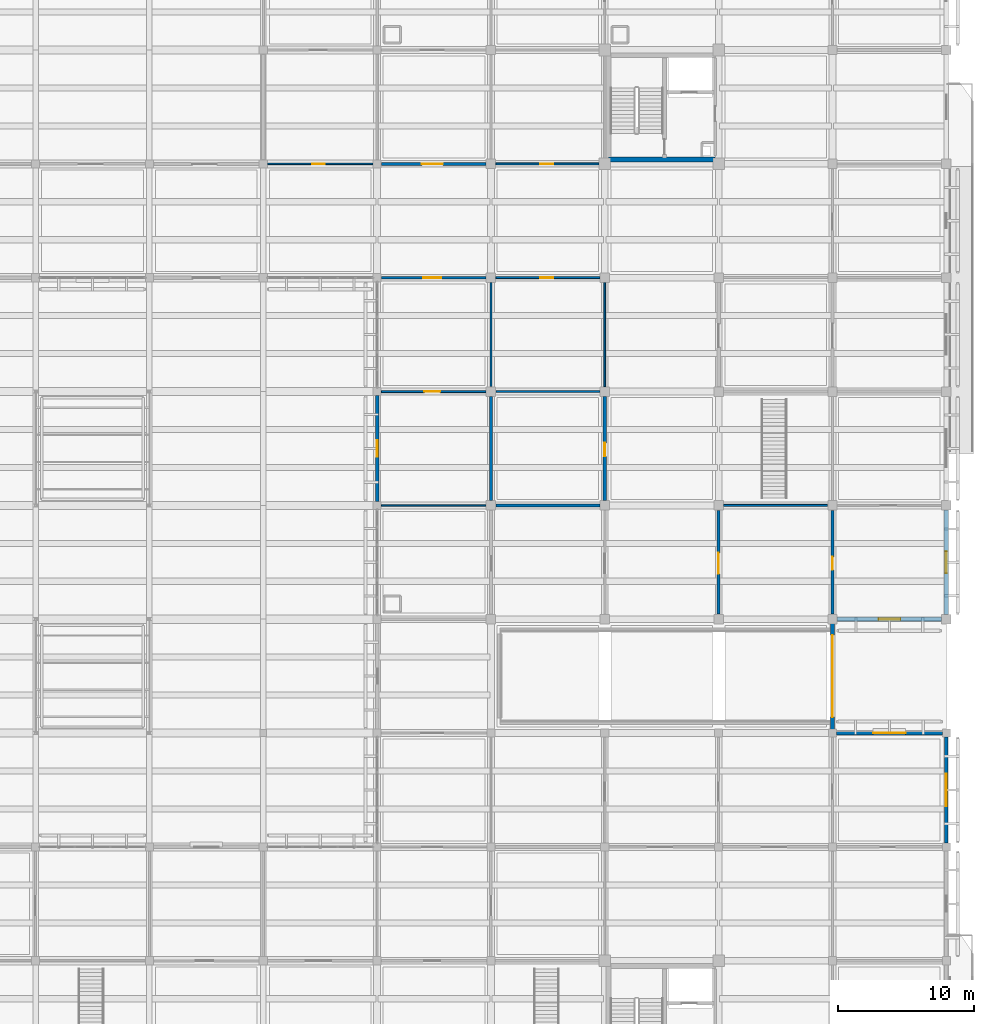
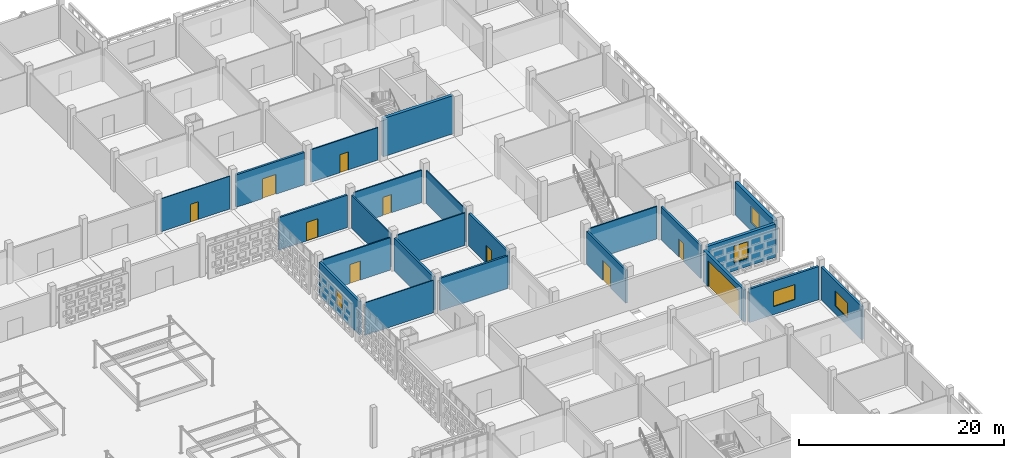
# One storey, part 71 of 129: 23 walls, 10 doors, 5 windows, 15 openings.
"""IFC4 building model written with IfcOpenShell, lengths in metres."""

from ifc_helpers import new_model, si_unit, direction, frame, frame_2d, origin, place, context, subcontext, project, spatial, rectangle, extrude, material, layer, layer_set, type_object, element, fill, save


model = new_model("IFC4")

# Units and contexts
model_context = context("Model", 3, precision=1e-05, world=origin(), true_north=direction((0.0, 1.0)))
body_context = subcontext(model_context, "Body", "Model", "MODEL_VIEW")
ifc_project = project(units=[si_unit("LENGTHUNIT", "METRE"), si_unit("AREAUNIT", "SQUARE_METRE"), si_unit("VOLUMEUNIT", "CUBIC_METRE"), si_unit("PLANEANGLEUNIT", "RADIAN"), si_unit("MASSUNIT", "GRAM", prefix="KILO")], contexts=[model_context])

# Site, building, storey
site_placement = place(None, origin())
site = spatial("IfcSite", under=ifc_project, at=site_placement, CompositionType="ELEMENT")
building_placement = place(site_placement, origin())
building = spatial("IfcBuilding", under=site, at=building_placement, Name="Varnapada Polytechnic", CompositionType="ELEMENT")
storey_placement = place(building_placement, origin())
storey = spatial("IfcBuildingStorey", under=building, at=storey_placement, Name="L00", CompositionType="ELEMENT", Elevation=0.0)

# Walls
ifc_material_1 = material(Name="Autoclaved Aerated Concrete Block AAC-600", Category="concrete")
ifc_layer_1 = layer(ifc_material_1, 0.14990234375)
ifc_layer_set_1 = layer_set([ifc_layer_1], Name="Autoclaved Aerated Concrete Block AAC-600")
wall_type_1 = type_object("IfcWallType", Name="Interior Wall IW-02", PredefinedType="PARTITIONING", material=ifc_layer_set_1)
wall_1_placement = place(storey_placement, frame((143.169921875, 75.60009765625, 0.0), z_axis=(0.0, 0.0, 1.0), x_axis=(1.0, 0.0, 0.0)))
element("IfcWall", 1, at=wall_1_placement, inside=storey, type_object=wall_type_1, Name="L00 interior partition IW-L00-17-08-H", PredefinedType="PARTITIONING", context=body_context, shape_type="SweptSolid", body=[
    extrude(rectangle(XDim=7.66015625, YDim=0.14990234375, at=frame_2d((3.830078125, 0.0))), origin(), (0.0, 0.0, 1.0), 3.8701171875),
])
ifc_material_2 = material(Name="Gypsum Plasterboard Acoustic Partition")
ifc_layer_2 = layer(ifc_material_2, 0.125)
ifc_layer_set_2 = layer_set([ifc_layer_2], Name="Gypsum Plasterboard Acoustic Partition")
wall_type_2 = type_object("IfcWallType", Name="Interior Wall IW-03", PredefinedType="PARTITIONING", material=ifc_layer_set_2)
wall_2_placement = place(storey_placement, frame((151.199951171875, 75.969970703125, 0.0), z_axis=(0.0, 0.0, 1.0), x_axis=(0.0, 1.0, 0.0)))
element("IfcWall", 2, at=wall_2_placement, inside=storey, type_object=wall_type_2, Name="L00 interior partition IW-L00-17-09-V", PredefinedType="PARTITIONING", context=body_context, shape_type="SweptSolid", body=[
    extrude(rectangle(XDim=7.659912109375, YDim=0.125, at=frame_2d((3.830078125, 0.0))), origin(), (0.0, 0.0, 1.0), 3.919921875),
])

# Wall, opening, door
ifc_material_3 = material(Name="Moisture-Resistant Cement Board Partition")
ifc_layer_3 = layer(ifc_material_3, 0.139892578125)
ifc_layer_set_3 = layer_set([ifc_layer_3], Name="Moisture-Resistant Cement Board Partition")
wall_type_3 = type_object("IfcWallType", Name="Interior Wall IW-04", PredefinedType="PARTITIONING", material=ifc_layer_set_3)
wall_3_placement = place(storey_placement, frame((143.169921875, 84.0, 0.0), z_axis=(0.0, 0.0, 1.0), x_axis=(1.0, 0.0, 0.0)))
wall_3 = element("IfcWall", 3, at=wall_3_placement, inside=storey, type_object=wall_type_3, Name="L00 interior partition IW-L00-17-09-H", PredefinedType="PARTITIONING", context=body_context, shape_type="SweptSolid", body=[
    extrude(rectangle(XDim=7.66015625, YDim=0.139892578125, at=frame_2d((3.830078125, 0.0))), origin(), (0.0, 0.0, 1.0), 3.8701171875),
])
opening_1_placement = place(wall_3_placement, frame((3.27490234375, 0.0, 0.0)))
opening_1 = element("IfcOpeningElement", 4, at=opening_1_placement, cuts=wall_3, Name="Opening D-919", PredefinedType="OPENING", context=body_context, shape_type="SweptSolid", body=[
    extrude(rectangle(XDim=0.949951171875, YDim=2.14990234375, at=frame_2d((0.47509765625, 1.074951171875))), frame((0.0, 0.079833984375, 0.0), z_axis=(0.0, -1.0, 0.0), x_axis=(1.0, 0.0, 0.0)), (0.0, 0.0, 1.0), 0.159912109375),
])
ifc_material_4 = material(Name="Moisture-Resistant HPL Timber", Category="wood")
door_type_1 = type_object("IfcDoorType", Name="Interior Door ID-03", OperationType="NOTDEFINED", PredefinedType="DOOR", material=ifc_material_4)
door_1_placement = place(opening_1_placement, origin())
door_1 = element("IfcDoor", 5, at=door_1_placement, inside=storey, type_object=door_type_1, Name="L00 interior room door D-919", OperationType="SINGLE_SWING_RIGHT", OverallHeight=2.14990234375, OverallWidth=0.949951171875, PredefinedType="DOOR", context=body_context, shape_type="SweptSolid", body=[
    extrude(rectangle(XDim=0.949951171875, YDim=2.14990234375, at=frame_2d((0.47509765625, 1.074951171875))), frame((0.0, 0.02490234375, 0.0), z_axis=(0.0, -1.0, 0.0), x_axis=(1.0, 0.0, 0.0)), (0.0, 0.0, 1.0), 0.050048828125),
])
fill(opening_1, door_1)

wall_4_placement = place(storey_placement, frame((143.169921875, 92.39990234375, 0.0), z_axis=(0.0, 0.0, 1.0), x_axis=(1.0, 0.0, 0.0)))
wall_4 = element("IfcWall", 6, at=wall_4_placement, inside=storey, type_object=wall_type_3, Name="L00 interior partition IW-L00-17-10-H", PredefinedType="PARTITIONING", context=body_context, shape_type="SweptSolid", body=[
    extrude(rectangle(XDim=7.5849609375, YDim=0.139892578125, at=frame_2d((3.79248046875, 0.0))), origin(), (0.0, 0.0, 1.0), 3.8701171875),
])
opening_2_placement = place(wall_4_placement, frame((3.27490234375, 0.0, 0.0)))
opening_2 = element("IfcOpeningElement", 7, at=opening_2_placement, cuts=wall_4, Name="Opening D-920", PredefinedType="OPENING", context=body_context, shape_type="SweptSolid", body=[
    extrude(rectangle(XDim=0.949951171875, YDim=2.14990234375, at=frame_2d((0.47509765625, 1.074951171875))), frame((0.0, 0.079833984375, 0.0), z_axis=(0.0, -1.0, 0.0), x_axis=(1.0, 0.0, 0.0)), (0.0, 0.0, 1.0), 0.159912109375),
])
door_2_placement = place(opening_2_placement, frame((0.949951171875, 0.0, 0.0), z_axis=(0.0, 0.0, 1.0), x_axis=(-1.0, 0.0, 0.0)))
door_2 = element("IfcDoor", 8, at=door_2_placement, inside=storey, type_object=door_type_1, Name="L00 interior room door D-920", OperationType="SINGLE_SWING_LEFT", OverallHeight=2.14990234375, OverallWidth=0.949951171875, PredefinedType="DOOR", context=body_context, shape_type="SweptSolid", body=[
    extrude(rectangle(XDim=0.949951171875, YDim=2.14990234375, at=frame_2d((0.47509765625, 1.074951171875))), frame((0.0, 0.02490234375, 0.0), z_axis=(0.0, -1.0, 0.0), x_axis=(1.0, 0.0, 0.0)), (0.0, 0.0, 1.0), 0.050048828125),
])
fill(opening_2, door_2)

ifc_material_5 = material(Name="Operable Acoustic Seminar Partition")
ifc_layer_4 = layer(ifc_material_5, 0.10009765625)
ifc_layer_set_4 = layer_set([ifc_layer_4], Name="Operable Acoustic Seminar Partition")
wall_type_4 = type_object("IfcWallType", Name="Interior Wall IW-08", PredefinedType="MOVABLE", material=ifc_layer_set_4)
wall_5_placement = place(storey_placement, frame((126.320068359375, 92.39990234375, 0.0), z_axis=(0.0, 0.0, 1.0), x_axis=(1.0, 0.0, 0.0)))
wall_5 = element("IfcWall", 9, at=wall_5_placement, inside=storey, type_object=wall_type_4, Name="L00 interior partition IW-L00-15-10-H", PredefinedType="MOVABLE", context=body_context, shape_type="SweptSolid", body=[
    extrude(rectangle(XDim=7.760009765625, YDim=0.10009765625, at=frame_2d((3.8798828125, 0.0))), origin(), (0.0, 0.0, 1.0), 3.919921875),
])
opening_3_placement = place(wall_5_placement, frame((3.300048828125, 0.0, 0.0)))
opening_3 = element("IfcOpeningElement", 10, at=opening_3_placement, cuts=wall_5, Name="Opening D-897", PredefinedType="OPENING", context=body_context, shape_type="SweptSolid", body=[
    extrude(rectangle(XDim=0.89990234375, YDim=2.10009765625, at=frame_2d((0.449951171875, 1.050048828125))), frame((0.0, 0.06005859375, 0.0), z_axis=(0.0, -1.0, 0.0), x_axis=(1.0, 0.0, 0.0)), (0.0, 0.0, 1.0), 0.1201171875),
])
door_type_2 = type_object("IfcDoorType", Name="Interior Door ID-15", OperationType="NOTDEFINED", PredefinedType="DOOR", material=ifc_material_4)
door_3_placement = place(opening_3_placement, origin())
door_3 = element("IfcDoor", 11, at=door_3_placement, inside=storey, type_object=door_type_2, Name="L00 interior room door D-897", OperationType="SINGLE_SWING_RIGHT", OverallHeight=2.10009765625, OverallWidth=0.89990234375, PredefinedType="DOOR", context=body_context, shape_type="SweptSolid", body=[
    extrude(rectangle(XDim=0.89990234375, YDim=2.10009765625, at=frame_2d((0.449951171875, 1.050048828125))), frame((0.0, 0.02490234375, 0.0), z_axis=(0.0, -1.0, 0.0), x_axis=(1.0, 0.0, 0.0)), (0.0, 0.0, 1.0), 0.050048828125),
])
fill(opening_3, door_3)

# Walls
ifc_material_6 = material(Name="Timber-Stud Studio Critique Partition", Category="wood")
ifc_layer_5 = layer(ifc_material_6, 0.114990234375)
ifc_layer_set_5 = layer_set([ifc_layer_5], Name="Timber-Stud Studio Critique Partition")
wall_type_5 = type_object("IfcWallType", Name="Interior Wall IW-12", PredefinedType="PARTITIONING", material=ifc_layer_set_5)
wall_6_placement = place(storey_placement, frame((134.719970703125, 67.199951171875, 0.0), z_axis=(0.0, 0.0, 1.0), x_axis=(1.0, 0.0, 0.0)))
element("IfcWall", 12, at=wall_6_placement, inside=storey, type_object=wall_type_5, Name="L00 interior partition IW-L00-16-07-H", PredefinedType="PARTITIONING", context=body_context, shape_type="SweptSolid", body=[
    extrude(rectangle(XDim=7.7099609375, YDim=0.114990234375, at=frame_2d((3.85498046875, 0.0))), origin(), (0.0, 0.0, 1.0), 3.8701171875),
])
ifc_material_7 = material(Name="Heavy Acoustic Auditorium Baffle Wall")
ifc_layer_6 = layer(ifc_material_7, 0.219970703125)
ifc_layer_set_6 = layer_set([ifc_layer_6], Name="Heavy Acoustic Auditorium Baffle Wall")
wall_type_6 = type_object("IfcWallType", Name="Interior Wall IW-13", PredefinedType="PARTITIONING", material=ifc_layer_set_6)
wall_7_placement = place(storey_placement, frame((142.800048828125, 67.570068359375, 0.0), z_axis=(0.0, 0.0, 1.0), x_axis=(0.0, 1.0, 0.0)))
element("IfcWall", 13, at=wall_7_placement, inside=storey, type_object=wall_type_6, Name="L00 interior partition IW-L00-16-08-V", PredefinedType="PARTITIONING", context=body_context, shape_type="SweptSolid", body=[
    extrude(rectangle(XDim=7.659912109375, YDim=0.219970703125, at=frame_2d((3.830078125, 0.0))), origin(), (0.0, 0.0, 1.0), 3.919921875),
])

# Wall, opening, door
wall_8_placement = place(storey_placement, frame((168.0, 59.169921875, 0.0), z_axis=(0.0, 0.0, 1.0), x_axis=(0.0, 1.0, 0.0)))
wall_8 = element("IfcWall", 14, at=wall_8_placement, inside=storey, type_object=wall_type_6, Name="L00 interior partition IW-L00-19-07-V", PredefinedType="PARTITIONING", context=body_context, shape_type="SweptSolid", body=[
    extrude(rectangle(XDim=7.66015625, YDim=0.219970703125, at=frame_2d((3.830078125, 0.0))), origin(), (0.0, 0.0, 1.0), 3.919921875),
])
opening_4_placement = place(wall_8_placement, frame((3.27490234375, 0.0, 0.0)))
opening_4 = element("IfcOpeningElement", 15, at=opening_4_placement, cuts=wall_8, Name="Opening D-936", PredefinedType="OPENING", context=body_context, shape_type="SweptSolid", body=[
    extrude(rectangle(XDim=0.949951171875, YDim=2.14990234375, at=frame_2d((0.47509765625, 1.074951171875))), frame((0.0, 0.119873046875, 0.0), z_axis=(0.0, -1.0, 0.0), x_axis=(1.0, 0.0, 0.0)), (0.0, 0.0, 1.0), 0.239990234375),
])
door_4_placement = place(opening_4_placement, origin())
door_4 = element("IfcDoor", 16, at=door_4_placement, inside=storey, type_object=door_type_1, Name="L00 interior room door D-936", OperationType="SINGLE_SWING_LEFT", OverallHeight=2.14990234375, OverallWidth=0.949951171875, PredefinedType="DOOR", context=body_context, shape_type="SweptSolid", body=[
    extrude(rectangle(XDim=0.949951171875, YDim=2.14990234375, at=frame_2d((0.47509765625, 1.074951171875))), frame((0.0, 0.02490234375, 0.0), z_axis=(0.0, -1.0, 0.0), x_axis=(1.0, 0.0, 0.0)), (0.0, 0.0, 1.0), 0.050048828125),
])
fill(opening_4, door_4)

ifc_material_8 = material(Name="Ceramic-Tiled Wet Laboratory Wall")
ifc_layer_7 = layer(ifc_material_8, 0.14501953125)
ifc_layer_set_7 = layer_set([ifc_layer_7], Name="Ceramic-Tiled Wet Laboratory Wall")
wall_type_7 = type_object("IfcWallType", Name="Interior Wall IW-14", PredefinedType="PARTITIONING", material=ifc_layer_set_7)
wall_9_placement = place(storey_placement, frame((134.719970703125, 75.60009765625, 0.0), z_axis=(0.0, 0.0, 1.0), x_axis=(1.0, 0.0, 0.0)))
wall_9 = element("IfcWall", 17, at=wall_9_placement, inside=storey, type_object=wall_type_7, Name="L00 interior partition IW-L00-16-08-H", PredefinedType="PARTITIONING", context=body_context, shape_type="SweptSolid", body=[
    extrude(rectangle(XDim=7.7099609375, YDim=0.14501953125, at=frame_2d((3.85498046875, 0.0))), origin(), (0.0, 0.0, 1.0), 3.8701171875),
])
opening_5_placement = place(wall_9_placement, frame((3.175048828125, 0.0, 0.0)))
opening_5 = element("IfcOpeningElement", 18, at=opening_5_placement, cuts=wall_9, Name="Opening D-909", PredefinedType="OPENING", context=body_context, shape_type="SweptSolid", body=[
    extrude(rectangle(XDim=1.14990234375, YDim=2.25, at=frame_2d((0.574951171875, 1.125))), frame((0.0, 0.08251953125, 0.0), z_axis=(0.0, -1.0, 0.0), x_axis=(1.0, 0.0, 0.0)), (0.0, 0.0, 1.0), 0.1650390625),
])
ifc_material_9 = material(Name="Powder-Coated Aluminium 6063-T6", Category="aluminium")
door_type_3 = type_object("IfcDoorType", Name="Interior Door ID-10", OperationType="NOTDEFINED", PredefinedType="DOOR", material=ifc_material_9)
door_5_placement = place(opening_5_placement, origin())
door_5 = element("IfcDoor", 19, at=door_5_placement, inside=storey, type_object=door_type_3, Name="L00 interior room door D-909", OperationType="SINGLE_SWING_RIGHT", OverallHeight=2.25, OverallWidth=1.14990234375, PredefinedType="DOOR", context=body_context, shape_type="SweptSolid", body=[
    extrude(rectangle(XDim=1.14990234375, YDim=2.25, at=frame_2d((0.574951171875, 1.125))), frame((0.0, 0.02490234375, 0.0), z_axis=(0.0, -1.0, 0.0), x_axis=(1.0, 0.0, 0.0)), (0.0, 0.0, 1.0), 0.050048828125),
])
fill(opening_5, door_5)

# Walls
wall_10_placement = place(storey_placement, frame((159.969970703125, 67.199951171875, 0.0), z_axis=(0.0, 0.0, 1.0), x_axis=(1.0, 0.0, 0.0)))
element("IfcWall", 20, at=wall_10_placement, inside=storey, type_object=wall_type_7, Name="L00 interior partition IW-L00-19-07-H", PredefinedType="PARTITIONING", context=body_context, shape_type="SweptSolid", body=[
    extrude(rectangle(XDim=7.659912109375, YDim=0.14501953125, at=frame_2d((3.830078125, 0.0))), origin(), (0.0, 0.0, 1.0), 3.8701171875),
])
ifc_material_10 = material(Name="Perforated Timber-Lined Seminar Wall", Category="wood")
ifc_layer_8 = layer(ifc_material_10, 0.155029296875)
ifc_layer_set_8 = layer_set([ifc_layer_8], Name="Perforated Timber-Lined Seminar Wall")
wall_type_8 = type_object("IfcWallType", Name="Interior Wall IW-15", PredefinedType="PARTITIONING", material=ifc_layer_set_8)
wall_11_placement = place(storey_placement, frame((142.800048828125, 75.969970703125, 0.0), z_axis=(0.0, 0.0, 1.0), x_axis=(0.0, 1.0, 0.0)))
element("IfcWall", 21, at=wall_11_placement, inside=storey, type_object=wall_type_8, Name="L00 interior partition IW-L00-16-09-V", PredefinedType="PARTITIONING", context=body_context, shape_type="SweptSolid", body=[
    extrude(rectangle(XDim=7.659912109375, YDim=0.155029296875, at=frame_2d((3.830078125, 0.0))), origin(), (0.0, 0.0, 1.0), 3.919921875),
])

# Wall, opening, door
ifc_material_11 = material(Name="Heavy Masonry Workshop Partition", Category="masonry")
ifc_layer_9 = layer(ifc_material_11, 0.2099609375)
ifc_layer_set_9 = layer_set([ifc_layer_9], Name="Heavy Masonry Workshop Partition")
wall_type_9 = type_object("IfcWallType", Name="Interior Wall IW-16", PredefinedType="PARTITIONING", material=ifc_layer_set_9)
wall_12_placement = place(storey_placement, frame((134.719970703125, 84.0, 0.0), z_axis=(0.0, 0.0, 1.0), x_axis=(1.0, 0.0, 0.0)))
wall_12 = element("IfcWall", 22, at=wall_12_placement, inside=storey, type_object=wall_type_9, Name="L00 interior partition IW-L00-16-09-H", PredefinedType="PARTITIONING", context=body_context, shape_type="SweptSolid", body=[
    extrude(rectangle(XDim=7.7099609375, YDim=0.2099609375, at=frame_2d((3.85498046875, 0.0))), origin(), (0.0, 0.0, 1.0), 3.860107421875),
])
opening_6_placement = place(wall_12_placement, frame((3.10009765625, 0.0, 0.0)))
opening_6 = element("IfcOpeningElement", 23, at=opening_6_placement, cuts=wall_12, Name="Opening D-910", PredefinedType="OPENING", context=body_context, shape_type="SweptSolid", body=[
    extrude(rectangle(XDim=1.300048828125, YDim=2.199951171875, at=frame_2d((0.64990234375, 1.10009765625))), frame((0.0, 0.114990234375, 0.0), z_axis=(0.0, -1.0, 0.0), x_axis=(1.0, 0.0, 0.0)), (0.0, 0.0, 1.0), 0.22998046875),
])
ifc_material_12 = material(Name="Acoustic Laminated Timber Leaf", Category="wood")
door_type_4 = type_object("IfcDoorType", Name="Interior Door ID-11", OperationType="NOTDEFINED", PredefinedType="DOOR", material=ifc_material_12)
door_6_placement = place(opening_6_placement, origin())
door_6 = element("IfcDoor", 24, at=door_6_placement, inside=storey, type_object=door_type_4, Name="L00 interior room door D-910", OperationType="SINGLE_SWING_LEFT", OverallHeight=2.199951171875, OverallWidth=1.300048828125, PredefinedType="DOOR", context=body_context, shape_type="SweptSolid", body=[
    extrude(rectangle(XDim=1.300048828125, YDim=2.199951171875, at=frame_2d((0.64990234375, 1.10009765625))), frame((0.0, 0.02490234375, 0.0), z_axis=(0.0, -1.0, 0.0), x_axis=(1.0, 0.0, 0.0)), (0.0, 0.0, 1.0), 0.050048828125),
])
fill(opening_6, door_6)

# Wall
wall_13_placement = place(storey_placement, frame((143.169921875, 67.199951171875, 0.0), z_axis=(0.0, 0.0, 1.0), x_axis=(1.0, 0.0, 0.0)))
element("IfcWall", 25, at=wall_13_placement, inside=storey, type_object=wall_type_9, Name="L00 interior partition IW-L00-17-07-H", PredefinedType="PARTITIONING", context=body_context, shape_type="SweptSolid", body=[
    extrude(rectangle(XDim=7.66015625, YDim=0.2099609375, at=frame_2d((3.830078125, 0.0))), origin(), (0.0, 0.0, 1.0), 3.8701171875),
])

# Wall, opening, door
wall_14_placement = place(storey_placement, frame((159.60009765625, 59.169921875, 0.0), z_axis=(0.0, 0.0, 1.0), x_axis=(0.0, 1.0, 0.0)))
wall_14 = element("IfcWall", 26, at=wall_14_placement, inside=storey, type_object=wall_type_9, Name="L00 interior partition IW-L00-18-07-V", PredefinedType="PARTITIONING", context=body_context, shape_type="SweptSolid", body=[
    extrude(rectangle(XDim=7.66015625, YDim=0.2099609375, at=frame_2d((3.830078125, 0.0))), origin(), (0.0, 0.0, 1.0), 3.919921875),
])
opening_7_placement = place(wall_14_placement, frame((2.97509765625, 0.0, 0.0)))
opening_7 = element("IfcOpeningElement", 27, at=opening_7_placement, cuts=wall_14, Name="Opening D-928", PredefinedType="OPENING", context=body_context, shape_type="SweptSolid", body=[
    extrude(rectangle(XDim=1.550048828125, YDim=2.35009765625, at=frame_2d((0.77490234375, 1.175048828125))), frame((0.0, 0.114990234375, 0.0), z_axis=(0.0, -1.0, 0.0), x_axis=(1.0, 0.0, 0.0)), (0.0, 0.0, 1.0), 0.22998046875),
])
ifc_material_13 = material(Name="Galvanized Steel Z275", Category="steel")
door_type_5 = type_object("IfcDoorType", Name="Interior Door ID-12", OperationType="NOTDEFINED", PredefinedType="DOOR", material=ifc_material_13)
door_7_placement = place(opening_7_placement, origin())
door_7 = element("IfcDoor", 28, at=door_7_placement, inside=storey, type_object=door_type_5, Name="L00 interior room door D-928", OperationType="SINGLE_SWING_LEFT", OverallHeight=2.35009765625, OverallWidth=1.550048828125, PredefinedType="DOOR", context=body_context, shape_type="SweptSolid", body=[
    extrude(rectangle(XDim=1.550048828125, YDim=2.35009765625, at=frame_2d((0.77490234375, 1.175048828125))), frame((0.0, 0.02490234375, 0.0), z_axis=(0.0, -1.0, 0.0), x_axis=(1.0, 0.0, 0.0)), (0.0, 0.0, 1.0), 0.050048828125),
])
fill(opening_7, door_7)

ifc_material_14 = material(Name="Double-Leaf Acoustic Lecture Wall")
ifc_layer_10 = layer(ifc_material_14, 0.235107421875)
ifc_layer_set_10 = layer_set([ifc_layer_10], Name="Double-Leaf Acoustic Lecture Wall")
wall_type_10 = type_object("IfcWallType", Name="Interior Wall IW-17", PredefinedType="PARTITIONING", material=ifc_layer_set_10)
wall_15_placement = place(storey_placement, frame((134.719970703125, 92.39990234375, 0.0), z_axis=(0.0, 0.0, 1.0), x_axis=(1.0, 0.0, 0.0)))
wall_15 = element("IfcWall", 29, at=wall_15_placement, inside=storey, type_object=wall_type_10, Name="L00 interior partition IW-L00-16-10-H", PredefinedType="PARTITIONING", context=body_context, shape_type="SweptSolid", body=[
    extrude(rectangle(XDim=7.7099609375, YDim=0.235107421875, at=frame_2d((3.85498046875, 0.0))), origin(), (0.0, 0.0, 1.0), 3.860107421875),
])
opening_8_placement = place(wall_15_placement, frame((2.97509765625, 0.0, 0.0)))
opening_8 = element("IfcOpeningElement", 30, at=opening_8_placement, cuts=wall_15, Name="Opening D-911", PredefinedType="OPENING", context=body_context, shape_type="SweptSolid", body=[
    extrude(rectangle(XDim=1.550048828125, YDim=2.35009765625, at=frame_2d((0.77490234375, 1.175048828125))), frame((0.0, 0.12744140625, 0.0), z_axis=(0.0, -1.0, 0.0), x_axis=(1.0, 0.0, 0.0)), (0.0, 0.0, 1.0), 0.255126953125),
])
door_8_placement = place(opening_8_placement, frame((1.550048828125, 0.0, 0.0), z_axis=(0.0, 0.0, 1.0), x_axis=(-1.0, 0.0, 0.0)))
door_8 = element("IfcDoor", 31, at=door_8_placement, inside=storey, type_object=door_type_5, Name="L00 interior room door D-911", OperationType="SINGLE_SWING_RIGHT", OverallHeight=2.35009765625, OverallWidth=1.550048828125, PredefinedType="DOOR", context=body_context, shape_type="SweptSolid", body=[
    extrude(rectangle(XDim=1.550048828125, YDim=2.35009765625, at=frame_2d((0.77490234375, 1.175048828125))), frame((0.0, 0.02490234375, 0.0), z_axis=(0.0, -1.0, 0.0), x_axis=(1.0, 0.0, 0.0)), (0.0, 0.0, 1.0), 0.050048828125),
])
fill(opening_8, door_8)

wall_16_placement = place(storey_placement, frame((151.199951171875, 67.570068359375, 0.0), z_axis=(0.0, 0.0, 1.0), x_axis=(0.0, 1.0, 0.0)))
wall_16 = element("IfcWall", 32, at=wall_16_placement, inside=storey, type_object=wall_type_10, Name="L00 interior partition IW-L00-17-08-V", PredefinedType="PARTITIONING", context=body_context, shape_type="SweptSolid", body=[
    extrude(rectangle(XDim=7.659912109375, YDim=0.235107421875, at=frame_2d((3.830078125, 0.0))), origin(), (0.0, 0.0, 1.0), 3.919921875),
])
opening_9_placement = place(wall_16_placement, frame((3.25, 0.0, 0.0)))
opening_9 = element("IfcOpeningElement", 33, at=opening_9_placement, cuts=wall_16, Name="Opening D-918", PredefinedType="OPENING", context=body_context, shape_type="SweptSolid", body=[
    extrude(rectangle(XDim=1.0, YDim=2.14990234375, at=frame_2d((0.5, 1.074951171875))), frame((0.0, 0.12744140625, 0.0), z_axis=(0.0, -1.0, 0.0), x_axis=(1.0, 0.0, 0.0)), (0.0, 0.0, 1.0), 0.255126953125),
])
ifc_material_15 = material(Name="Solid Teak Hardwood Timber", Category="wood")
door_type_6 = type_object("IfcDoorType", Name="Interior Door ID-02", OperationType="NOTDEFINED", PredefinedType="DOOR", material=ifc_material_15)
door_9_placement = place(opening_9_placement, origin())
door_9 = element("IfcDoor", 34, at=door_9_placement, inside=storey, type_object=door_type_6, Name="L00 interior room door D-918", OperationType="SINGLE_SWING_LEFT", OverallHeight=2.14990234375, OverallWidth=1.0, PredefinedType="DOOR", context=body_context, shape_type="SweptSolid", body=[
    extrude(rectangle(XDim=1.0, YDim=2.14990234375, at=frame_2d((0.5, 1.074951171875))), frame((0.0, 0.02490234375, 0.0), z_axis=(0.0, -1.0, 0.0), x_axis=(1.0, 0.0, 0.0)), (0.0, 0.0, 1.0), 0.050048828125),
])
fill(opening_9, door_9)

# Wall
ifc_material_16 = material(Name="Concrete C40/50", Category="concrete")
ifc_layer_11 = layer(ifc_material_16, 0.35009765625)
ifc_layer_set_11 = layer_set([ifc_layer_11], Name="Concrete C40/50")
wall_type_11 = type_object("IfcWallType", Name="Interior Wall SW-01", PredefinedType="SHEAR", material=ifc_layer_set_11)
wall_17_placement = place(storey_placement, frame((159.340087890625, 92.719970703125, 0.0), z_axis=(0.0, 0.0, 1.0), x_axis=(-1.0, 0.0, 0.0)))
element("IfcWall", 35, at=wall_17_placement, inside=storey, type_object=wall_type_11, Name="L00 C5 core south shear wall", PredefinedType="SHEAR", context=body_context, shape_type="SweptSolid", body=[
    extrude(rectangle(XDim=7.875, YDim=0.35009765625, at=frame_2d((3.9375, 0.0))), origin(), (0.0, 0.0, 1.0), 4.550048828125),
])

# Wall, opening, door
ifc_material_17 = material(Name="Precast concrete C40/50", Category="concrete")
ifc_layer_12 = layer(ifc_material_17, 0.280029296875)
ifc_layer_set_12 = layer_set([ifc_layer_12], Name="Precast concrete C40/50")
wall_type_12 = type_object("IfcWallType", Name="Wall EW-02", PredefinedType="SOLIDWALL", material=ifc_layer_set_12)
wall_18_placement = place(storey_placement, frame((168.0, 50.64990234375, 0.0), z_axis=(0.0, 0.0, 1.0), x_axis=(0.0, 1.0, 0.0)))
wall_18 = element("IfcWall", 36, at=wall_18_placement, inside=storey, type_object=wall_type_12, Name="L00 vehicle ramp east portal exterior wall", PredefinedType="SOLIDWALL", context=body_context, shape_type="SweptSolid", body=[
    extrude(rectangle(XDim=7.900146484375, YDim=0.280029296875, at=frame_2d((3.9501953125, 0.0))), origin(), (0.0, 0.0, 1.0), 3.800048828125),
])
opening_10_placement = place(wall_18_placement, frame((0.925048828125, 0.0, 0.0)))
opening_10 = element("IfcOpeningElement", 37, at=opening_10_placement, cuts=wall_18, Name="Opening VG-01", PredefinedType="OPENING", context=body_context, shape_type="SweptSolid", body=[
    extrude(rectangle(XDim=6.050048828125, YDim=3.10009765625, at=frame_2d((3.02490234375, 1.550048828125))), frame((0.0, 0.14990234375, 0.0), z_axis=(0.0, -1.0, 0.0), x_axis=(1.0, 0.0, 0.0)), (0.0, 0.0, 1.0), 0.300048828125),
])
door_type_7 = type_object("IfcDoorType", Name="Exterior Door VG-01", OperationType="NOTDEFINED", PredefinedType="GATE", material=ifc_material_13)
door_10_placement = place(opening_10_placement, origin())
door_10 = element("IfcDoor", 38, at=door_10_placement, inside=storey, type_object=door_type_7, Name="L00 basement vehicle ramp roller shutter gate VG-01", OperationType="ROLLINGUP", OverallHeight=3.10009765625, OverallWidth=6.050048828125, PredefinedType="GATE", context=body_context, shape_type="SweptSolid", body=[
    extrude(rectangle(XDim=6.050048828125, YDim=3.10009765625, at=frame_2d((3.02490234375, 1.550048828125))), frame((0.0, 0.02490234375, 0.0), z_axis=(0.0, -1.0, 0.0), x_axis=(1.0, 0.0, 0.0)), (0.0, 0.0, 1.0), 0.050048828125),
])
fill(opening_10, door_10)

# Wall, opening, window
ifc_layer_13 = layer(ifc_material_17, 0.260009765625)
ifc_layer_set_13 = layer_set([ifc_layer_13], Name="Precast concrete C40/50")
wall_type_13 = type_object("IfcWallType", Name="Wall EW-03", PredefinedType="SOLIDWALL", material=ifc_layer_set_13)
wall_19_placement = place(storey_placement, frame((134.39990234375, 67.5, 0.0), z_axis=(0.0, 0.0, 1.0), x_axis=(0.0, 1.0, 0.0)))
wall_19 = element("IfcWall", 39, at=wall_19_placement, inside=storey, type_object=wall_type_13, Name="L00 exterior wall EW-03 (88)", PredefinedType="SOLIDWALL", context=body_context, shape_type="SweptSolid", body=[
    extrude(rectangle(XDim=7.800048828125, YDim=0.260009765625, at=frame_2d((3.89990234375, 0.0))), origin(), (0.0, 0.0, 1.0), 3.9599609375),
])
opening_11_placement = place(wall_19_placement, frame((3.300048828125, 0.0, 0.949951171875)))
opening_11 = element("IfcOpeningElement", 40, at=opening_11_placement, cuts=wall_19, Name="Opening WN-01", PredefinedType="OPENING", context=body_context, shape_type="SweptSolid", body=[
    extrude(rectangle(XDim=1.199951171875, YDim=1.800048828125, at=frame_2d((0.60009765625, 0.89990234375))), frame((0.0, 0.139892578125, 0.0), z_axis=(0.0, -1.0, 0.0), x_axis=(1.0, 0.0, 0.0)), (0.0, 0.0, 1.0), 0.280029296875),
])
ifc_material_18 = material(Name="Double low-E laminated glass", Category="glass")
window_type_1 = type_object("IfcWindowType", Name="Window WN-01", PartitioningType="SINGLE_PANEL", PredefinedType="WINDOW", material=ifc_material_18)
window_1_placement = place(opening_11_placement, origin())
window_1 = element("IfcWindow", 41, at=window_1_placement, inside=storey, type_object=window_type_1, Name="L00 window WN-01 (44)", OverallHeight=1.800048828125, OverallWidth=1.199951171875, PartitioningType="SINGLE_PANEL", PredefinedType="WINDOW", context=body_context, shape_type="SweptSolid", body=[
    extrude(rectangle(XDim=1.199951171875, YDim=1.800048828125, at=frame_2d((0.60009765625, 0.89990234375))), frame((0.0, 0.030029296875, 0.0), z_axis=(0.0, -1.0, 0.0), x_axis=(1.0, 0.0, 0.0)), (0.0, 0.0, 1.0), 0.06005859375),
])
fill(opening_11, window_1)

ifc_layer_14 = layer(ifc_material_17, 0.25)
ifc_layer_set_14 = layer_set([ifc_layer_14], Name="Precast concrete C40/50")
wall_type_14 = type_object("IfcWallType", Name="Wall EW-05", PredefinedType="SOLIDWALL", material=ifc_layer_set_14)
wall_20_placement = place(storey_placement, frame((168.300048828125, 50.39990234375, 0.0), z_axis=(0.0, 0.0, 1.0), x_axis=(1.0, 0.0, 0.0)))
wall_20 = element("IfcWall", 42, at=wall_20_placement, inside=storey, type_object=wall_type_14, Name="L00 exterior wall EW-05 (103)", PredefinedType="SOLIDWALL", context=body_context, shape_type="SweptSolid", body=[
    extrude(rectangle(XDim=7.800048828125, YDim=0.25, at=frame_2d((3.89990234375, 0.0))), origin(), (0.0, 0.0, 1.0), 3.9599609375),
])
opening_12_placement = place(wall_20_placement, frame((2.699951171875, 0.0, 0.949951171875)))
opening_12 = element("IfcOpeningElement", 43, at=opening_12_placement, cuts=wall_20, Name="Opening WN-02", PredefinedType="OPENING", context=body_context, shape_type="SweptSolid", body=[
    extrude(rectangle(XDim=2.39990234375, YDim=1.800048828125, at=frame_2d((1.199951171875, 0.89990234375))), frame((0.0, 0.135009765625, 0.0), z_axis=(0.0, -1.0, 0.0), x_axis=(1.0, 0.0, 0.0)), (0.0, 0.0, 1.0), 0.27001953125),
])
window_type_2 = type_object("IfcWindowType", Name="Window WN-02", PartitioningType="SINGLE_PANEL", PredefinedType="WINDOW", material=ifc_material_18)
window_2_placement = place(opening_12_placement, origin())
window_2 = element("IfcWindow", 44, at=window_2_placement, inside=storey, type_object=window_type_2, Name="L00 window WN-02 (56)", OverallHeight=1.800048828125, OverallWidth=2.39990234375, PartitioningType="SINGLE_PANEL", PredefinedType="WINDOW", context=body_context, shape_type="SweptSolid", body=[
    extrude(rectangle(XDim=2.39990234375, YDim=1.800048828125, at=frame_2d((1.199951171875, 0.89990234375))), frame((0.0, 0.030029296875, 0.0), z_axis=(0.0, -1.0, 0.0), x_axis=(1.0, 0.0, 0.0)), (0.0, 0.0, 1.0), 0.06005859375),
])
fill(opening_12, window_2)

wall_21_placement = place(storey_placement, frame((176.39990234375, 50.10009765625, 0.0), z_axis=(0.0, 0.0, 1.0), x_axis=(0.0, -1.0, 0.0)))
wall_21 = element("IfcWall", 45, at=wall_21_placement, inside=storey, type_object=wall_type_14, Name="L00 exterior wall EW-05 (104)", PredefinedType="SOLIDWALL", context=body_context, shape_type="SweptSolid", body=[
    extrude(rectangle(XDim=7.800048828125, YDim=0.25, at=frame_2d((3.89990234375, 0.0))), origin(), (0.0, 0.0, 1.0), 3.9599609375),
])
opening_13_placement = place(wall_21_placement, frame((2.699951171875, 0.0, 0.949951171875)))
opening_13 = element("IfcOpeningElement", 46, at=opening_13_placement, cuts=wall_21, Name="Opening WN-02", PredefinedType="OPENING", context=body_context, shape_type="SweptSolid", body=[
    extrude(rectangle(XDim=2.39990234375, YDim=1.800048828125, at=frame_2d((1.199951171875, 0.89990234375))), frame((0.0, 0.135009765625, 0.0), z_axis=(0.0, -1.0, 0.0), x_axis=(1.0, 0.0, 0.0)), (0.0, 0.0, 1.0), 0.27001953125),
])
window_3_placement = place(opening_13_placement, origin())
window_3 = element("IfcWindow", 47, at=window_3_placement, inside=storey, type_object=window_type_2, Name="L00 window WN-02 (57)", OverallHeight=1.800048828125, OverallWidth=2.39990234375, PartitioningType="SINGLE_PANEL", PredefinedType="WINDOW", context=body_context, shape_type="SweptSolid", body=[
    extrude(rectangle(XDim=2.39990234375, YDim=1.800048828125, at=frame_2d((1.199951171875, 0.89990234375))), frame((0.0, 0.030029296875, 0.0), z_axis=(0.0, -1.0, 0.0), x_axis=(1.0, 0.0, 0.0)), (0.0, 0.0, 1.0), 0.06005859375),
])
fill(opening_13, window_3)

ifc_layer_15 = layer(ifc_material_17, 0.340087890625)
ifc_layer_set_15 = layer_set([ifc_layer_15], Name="Precast concrete C40/50")
wall_type_15 = type_object("IfcWallType", Name="Wall EW-07", PredefinedType="SOLIDWALL", material=ifc_layer_set_15)
wall_22_placement = place(storey_placement, frame((176.050048828125, 58.800048828125, 0.0), z_axis=(0.0, 0.0, 1.0), x_axis=(-1.0, 0.0, 0.0)))
wall_22 = element("IfcWall", 48, at=wall_22_placement, inside=storey, type_object=wall_type_15, Name="L00 exterior wall EW-07 (105)", PredefinedType="SOLIDWALL", context=body_context, shape_type="SweptSolid", body=[
    extrude(rectangle(XDim=7.699951171875, YDim=0.340087890625, at=frame_2d((3.85009765625, 0.0))), origin(), (0.0, 0.0, 1.0), 3.9599609375),
])
opening_14_placement = place(wall_22_placement, frame((3.050048828125, 0.0, 0.949951171875)))
opening_14 = element("IfcOpeningElement", 49, at=opening_14_placement, cuts=wall_22, Name="Opening WN-08", PredefinedType="OPENING", context=body_context, shape_type="SweptSolid", body=[
    extrude(rectangle(XDim=1.60009765625, YDim=2.0, at=frame_2d((0.800048828125, 1.0))), frame((0.0, 0.179931640625, 0.0), z_axis=(0.0, -1.0, 0.0), x_axis=(1.0, 0.0, 0.0)), (0.0, 0.0, 1.0), 0.360107421875),
])
window_type_3 = type_object("IfcWindowType", Name="Window WN-08", PartitioningType="SINGLE_PANEL", PredefinedType="WINDOW", material=ifc_material_18)
window_4_placement = place(opening_14_placement, origin())
window_4 = element("IfcWindow", 50, at=window_4_placement, inside=storey, type_object=window_type_3, Name="L00 window WN-08 (58)", OverallHeight=2.0, OverallWidth=1.60009765625, PartitioningType="SINGLE_PANEL", PredefinedType="WINDOW", context=body_context, shape_type="SweptSolid", body=[
    extrude(rectangle(XDim=1.60009765625, YDim=2.0, at=frame_2d((0.800048828125, 1.0))), frame((0.0, 0.030029296875, 0.0), z_axis=(0.0, -1.0, 0.0), x_axis=(1.0, 0.0, 0.0)), (0.0, 0.0, 1.0), 0.06005859375),
])
fill(opening_14, window_4)

wall_23_placement = place(storey_placement, frame((176.39990234375, 66.85009765625, 0.0), z_axis=(0.0, 0.0, 1.0), x_axis=(0.0, -1.0, 0.0)))
wall_23 = element("IfcWall", 51, at=wall_23_placement, inside=storey, type_object=wall_type_15, Name="L00 exterior wall EW-07 (106)", PredefinedType="SOLIDWALL", context=body_context, shape_type="SweptSolid", body=[
    extrude(rectangle(XDim=7.7001953125, YDim=0.340087890625, at=frame_2d((3.85009765625, 0.0))), origin(), (0.0, 0.0, 1.0), 3.9599609375),
])
opening_15_placement = place(wall_23_placement, frame((3.050048828125, 0.0, 0.949951171875)))
opening_15 = element("IfcOpeningElement", 52, at=opening_15_placement, cuts=wall_23, Name="Opening WN-08", PredefinedType="OPENING", context=body_context, shape_type="SweptSolid", body=[
    extrude(rectangle(XDim=1.60009765625, YDim=2.0, at=frame_2d((0.800048828125, 1.0))), frame((0.0, 0.179931640625, 0.0), z_axis=(0.0, -1.0, 0.0), x_axis=(1.0, 0.0, 0.0)), (0.0, 0.0, 1.0), 0.360107421875),
])
window_5_placement = place(opening_15_placement, origin())
window_5 = element("IfcWindow", 53, at=window_5_placement, inside=storey, type_object=window_type_3, Name="L00 window WN-08 (59)", OverallHeight=2.0, OverallWidth=1.60009765625, PartitioningType="SINGLE_PANEL", PredefinedType="WINDOW", context=body_context, shape_type="SweptSolid", body=[
    extrude(rectangle(XDim=1.60009765625, YDim=2.0, at=frame_2d((0.800048828125, 1.0))), frame((0.0, 0.030029296875, 0.0), z_axis=(0.0, -1.0, 0.0), x_axis=(1.0, 0.0, 0.0)), (0.0, 0.0, 1.0), 0.06005859375),
])
fill(opening_15, window_5)

save(model, "model.ifc")
